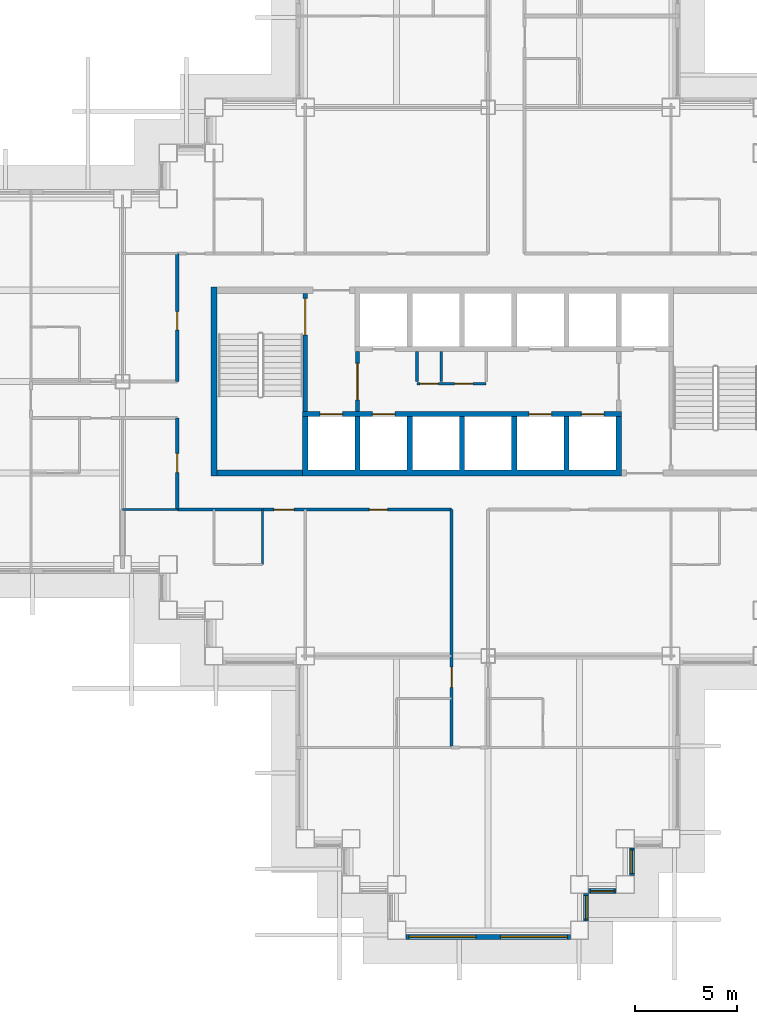
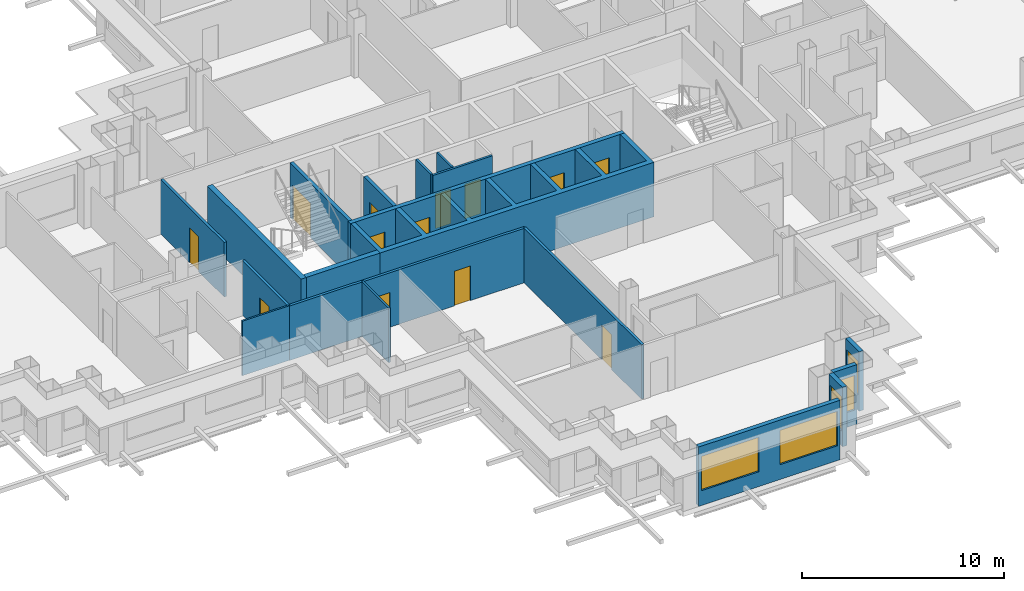
# One storey, part 4 of 15: 19 walls, 13 doors, 5 windows, 18 openings.
"""IFC4 building model written with IfcOpenShell, lengths in metres."""

from ifc_helpers import new_model, si_unit, direction, frame, frame_2d, origin, place, context, subcontext, project, spatial, polyline, rectangle, outline, extrude, material, layer, layer_set, type_object, element, fill, save


model = new_model("IFC4")

# Units and contexts
model_context = context("Model", 3, precision=1e-05, world=origin(), true_north=direction((0.0, 1.0)))
body_context = subcontext(model_context, "Body", "Model", "MODEL_VIEW")
ifc_project = project(units=[si_unit("LENGTHUNIT", "METRE"), si_unit("AREAUNIT", "SQUARE_METRE"), si_unit("VOLUMEUNIT", "CUBIC_METRE"), si_unit("PLANEANGLEUNIT", "RADIAN"), si_unit("MASSUNIT", "GRAM", prefix="KILO")], contexts=[model_context])

# Site, building, storey
site_placement = place(None, origin())
site = spatial("IfcSite", under=ifc_project, at=site_placement, CompositionType="ELEMENT")
building_placement = place(site_placement, origin())
building = spatial("IfcBuilding", under=site, at=building_placement, Name="Caravel Reach Hotel and Residences", CompositionType="ELEMENT")
storey_placement = place(building_placement, frame((0.0, 0.0, 111.60009765625)))
storey = spatial("IfcBuildingStorey", under=building, at=storey_placement, Name="L27", CompositionType="ELEMENT", Elevation=111.60009765625)

# Walls
ifc_material_1 = material(Name="Gypsum board on steel stud", Category="steel")
ifc_layer_1 = layer(ifc_material_1, 0.10009765625)
ifc_layer_set_1 = layer_set([ifc_layer_1], Name="Bathroom pod wall 100 mm")
wall_type_1 = type_object("IfcWallType", Name="Bathroom pod wall 100 mm", PredefinedType="PARTITIONING", material=ifc_layer_set_1)
wall_1_placement = place(storey_placement, frame((20.39990234375, 18.0, 0.0), z_axis=(0.0, 0.0, 1.0), x_axis=(0.0, 1.0, 0.0)))
element("IfcWall", 1, at=wall_1_placement, inside=storey, type_object=wall_type_1, Name="L27 wall w084", PredefinedType="PARTITIONING", context=body_context, shape_type="SweptSolid", body=[
    extrude(rectangle(XDim=2.699951171875, YDim=0.10009765625, at=frame_2d((1.35009765625, 0.0))), origin(), (0.0, 0.0, 1.0), 3.2998046875),
])
ifc_material_2 = material(Name="Concrete C60", Category="concrete")
ifc_layer_2 = layer(ifc_material_2, 0.300048828125)
ifc_layer_set_2 = layer_set([ifc_layer_2], Name="Core wall 300 mm EI 120")
wall_type_2 = type_object("IfcWallType", Name="Core wall 300 mm EI 120", PredefinedType="SHEAR", material=ifc_layer_set_2)
wall_2_placement = place(storey_placement, frame((18.14990234375, 22.5, 0.0), z_axis=(0.0, 0.0, 1.0), x_axis=(1.0, 0.0, 0.0)))
element("IfcWall", 2, at=wall_2_placement, inside=storey, type_object=wall_type_2, Name="L27 core wall S1", PredefinedType="SHEAR", context=body_context, shape_type="SweptSolid", body=[
    extrude(rectangle(XDim=4.22509765625, YDim=0.300048828125, at=frame_2d((2.112548828125, 0.0))), origin(), (0.0, 0.0, 1.0), 3.2998046875),
])
wall_3_placement = place(storey_placement, frame((18.0, 22.35009765625, 0.0), z_axis=(0.0, 0.0, 1.0), x_axis=(0.0, 1.0, 0.0)))
element("IfcWall", 3, at=wall_3_placement, inside=storey, type_object=wall_type_2, Name="L27 core wall W", PredefinedType="SHEAR", context=body_context, shape_type="SweptSolid", body=[
    extrude(rectangle(XDim=9.2998046875, YDim=0.300048828125, at=frame_2d((4.64990234375, 0.0))), origin(), (0.0, 0.0, 1.0), 3.2998046875),
])

# Wall, openings, doors
ifc_material_3 = material(Name="Gypsum board on steel stud, fire-rated", Category="steel")
ifc_layer_3 = layer(ifc_material_3, 0.14990234375)
ifc_layer_set_3 = layer_set([ifc_layer_3], Name="Corridor wall 150 mm EI 60")
wall_type_3 = type_object("IfcWallType", Name="Corridor wall 150 mm EI 60", PredefinedType="PARTITIONING", material=ifc_layer_set_3)
wall_4_placement = place(storey_placement, frame((16.199951171875, 20.699951171875, 0.0), z_axis=(0.0, 0.0, 1.0), x_axis=(1.0, 0.0, 0.0)))
wall_4 = element("IfcWall", 4, at=wall_4_placement, inside=storey, type_object=wall_type_3, Name="L27 wall w001", PredefinedType="PARTITIONING", context=body_context, shape_type="SweptSolid", body=[
    extrude(rectangle(XDim=13.5, YDim=0.14990234375, at=frame_2d((6.75, 0.0))), origin(), (0.0, 0.0, 1.0), 3.2998046875),
])
opening_1_placement = place(wall_4_placement, frame((4.75, 0.0, 0.0)))
opening_1 = element("IfcOpeningElement", 5, at=opening_1_placement, cuts=wall_4, Name="Opening D27-045", PredefinedType="OPENING", context=body_context, shape_type="SweptSolid", body=[
    extrude(rectangle(XDim=1.0, YDim=2.10009765625, at=frame_2d((0.5, 1.050048828125))), frame((0.0, 0.0849609375, 0.0), z_axis=(0.0, -1.0, 0.0), x_axis=(1.0, 0.0, 0.0)), (0.0, 0.0, 1.0), 0.169921875),
])
opening_2_placement = place(wall_4_placement, frame((9.449951171875, 0.0, 0.0)))
opening_2 = element("IfcOpeningElement", 6, at=opening_2_placement, cuts=wall_4, Name="Opening D27-052", PredefinedType="OPENING", context=body_context, shape_type="SweptSolid", body=[
    extrude(rectangle(XDim=0.89990234375, YDim=2.10009765625, at=frame_2d((0.449951171875, 1.050048828125))), frame((0.0, 0.0849609375, 0.0), z_axis=(0.0, -1.0, 0.0), x_axis=(1.0, 0.0, 0.0)), (0.0, 0.0, 1.0), 0.169921875),
])
ifc_material_4 = material(Name="Timber and steel door leaf", Category="steel")
door_type_1 = type_object("IfcDoorType", Name="Door 900 x 2100 timber", OperationType="SINGLE_SWING_LEFT", PredefinedType="DOOR", material=ifc_material_4)
door_1_placement = place(opening_2_placement, origin())
door_1 = element("IfcDoor", 7, at=door_1_placement, inside=storey, type_object=door_type_1, Name="door D27-052", OperationType="SINGLE_SWING_RIGHT", OverallHeight=2.10009765625, OverallWidth=0.89990234375, PredefinedType="DOOR", context=body_context, shape_type="SweptSolid", body=[
    extrude(rectangle(XDim=0.89990234375, YDim=2.10009765625, at=frame_2d((0.449951171875, 1.050048828125))), frame((0.0, 0.02490234375, 0.0), z_axis=(0.0, -1.0, 0.0), x_axis=(1.0, 0.0, 0.0)), (0.0, 0.0, 1.0), 0.050048828125),
])
fill(opening_2, door_1)
ifc_material_5 = material(Name="Steel fire door leaf", Category="steel")
door_type_2 = type_object("IfcDoorType", Name="Guest room door 1000 x 2100 EI 30", OperationType="SINGLE_SWING_LEFT", PredefinedType="DOOR", material=ifc_material_5)
door_2_placement = place(opening_1_placement, origin())
door_2 = element("IfcDoor", 8, at=door_2_placement, inside=storey, type_object=door_type_2, Name="door D27-045", OperationType="SINGLE_SWING_RIGHT", OverallHeight=2.10009765625, OverallWidth=1.0, PredefinedType="DOOR", context=body_context, shape_type="SweptSolid", body=[
    extrude(rectangle(XDim=1.0, YDim=2.10009765625, at=frame_2d((0.5, 1.050048828125))), frame((0.0, 0.02490234375, 0.0), z_axis=(0.0, -1.0, 0.0), x_axis=(1.0, 0.0, 0.0)), (0.0, 0.0, 1.0), 0.050048828125),
])
fill(opening_1, door_2)

# Wall, opening, door
wall_5_placement = place(storey_placement, frame((16.199951171875, 27.0, 0.0), z_axis=(0.0, 0.0, 1.0), x_axis=(0.0, 1.0, 0.0)))
wall_5 = element("IfcWall", 9, at=wall_5_placement, inside=storey, type_object=wall_type_3, Name="L27 wall w021", PredefinedType="PARTITIONING", context=body_context, shape_type="SweptSolid", body=[
    extrude(rectangle(XDim=6.300048828125, YDim=0.14990234375, at=frame_2d((3.14990234375, 0.0))), origin(), (0.0, 0.0, 1.0), 3.2998046875),
])
opening_3_placement = place(wall_5_placement, frame((2.550048828125, 0.0, 0.0)))
opening_3 = element("IfcOpeningElement", 10, at=opening_3_placement, cuts=wall_5, Name="Opening D27-055", PredefinedType="OPENING", context=body_context, shape_type="SweptSolid", body=[
    extrude(rectangle(XDim=0.89990234375, YDim=2.10009765625, at=frame_2d((0.449951171875, 1.050048828125))), frame((0.0, 0.0849609375, 0.0), z_axis=(0.0, -1.0, 0.0), x_axis=(1.0, 0.0, 0.0)), (0.0, 0.0, 1.0), 0.169921875),
])
door_3_placement = place(opening_3_placement, origin())
door_3 = element("IfcDoor", 11, at=door_3_placement, inside=storey, type_object=door_type_1, Name="door D27-055", OperationType="SINGLE_SWING_LEFT", OverallHeight=2.10009765625, OverallWidth=0.89990234375, PredefinedType="DOOR", context=body_context, shape_type="SweptSolid", body=[
    extrude(rectangle(XDim=0.89990234375, YDim=2.10009765625, at=frame_2d((0.449951171875, 1.050048828125))), frame((0.0, 0.02490234375, 0.0), z_axis=(0.0, -1.0, 0.0), x_axis=(1.0, 0.0, 0.0)), (0.0, 0.0, 1.0), 0.050048828125),
])
fill(opening_3, door_3)

wall_6_placement = place(storey_placement, frame((16.199951171875, 20.699951171875, 0.0), z_axis=(0.0, 0.0, 1.0), x_axis=(0.0, 1.0, 0.0)))
wall_6 = element("IfcWall", 12, at=wall_6_placement, inside=storey, type_object=wall_type_3, Name="L27 wall w022", PredefinedType="PARTITIONING", context=body_context, shape_type="SweptSolid", body=[
    extrude(rectangle(XDim=4.5, YDim=0.14990234375, at=frame_2d((2.25, 0.0))), origin(), (0.0, 0.0, 1.0), 3.2998046875),
])
opening_4_placement = place(wall_6_placement, frame((1.824951171875, 0.0, 0.0)))
opening_4 = element("IfcOpeningElement", 13, at=opening_4_placement, cuts=wall_6, Name="Opening D27-054", PredefinedType="OPENING", context=body_context, shape_type="SweptSolid", body=[
    extrude(rectangle(XDim=0.949951171875, YDim=2.10009765625, at=frame_2d((0.47509765625, 1.050048828125))), frame((0.0, 0.0849609375, 0.0), z_axis=(0.0, -1.0, 0.0), x_axis=(1.0, 0.0, 0.0)), (0.0, 0.0, 1.0), 0.169921875),
])
ifc_material_6 = material(Name="Timber and steel door leaf", Category="steel")
door_type_3 = type_object("IfcDoorType", Name="Accessible WC door 950 x 2100", OperationType="SINGLE_SWING_LEFT", PredefinedType="DOOR", material=ifc_material_6)
door_4_placement = place(opening_4_placement, origin())
door_4 = element("IfcDoor", 14, at=door_4_placement, inside=storey, type_object=door_type_3, Name="door D27-054", OperationType="SINGLE_SWING_RIGHT", OverallHeight=2.10009765625, OverallWidth=0.949951171875, PredefinedType="DOOR", context=body_context, shape_type="SweptSolid", body=[
    extrude(rectangle(XDim=0.949951171875, YDim=2.10009765625, at=frame_2d((0.47509765625, 1.050048828125))), frame((0.0, 0.02490234375, 0.0), z_axis=(0.0, -1.0, 0.0), x_axis=(1.0, 0.0, 0.0)), (0.0, 0.0, 1.0), 0.050048828125),
])
fill(opening_4, door_4)

wall_7_placement = place(storey_placement, frame((29.699951171875, 9.0, 0.0), z_axis=(0.0, 0.0, 1.0), x_axis=(0.0, 1.0, 0.0)))
wall_7 = element("IfcWall", 15, at=wall_7_placement, inside=storey, type_object=wall_type_3, Name="L27 wall w023", PredefinedType="PARTITIONING", context=body_context, shape_type="SweptSolid", body=[
    extrude(rectangle(XDim=11.699951171875, YDim=0.14990234375, at=frame_2d((5.85009765625, 0.0))), origin(), (0.0, 0.0, 1.0), 3.2998046875),
])
opening_5_placement = place(wall_7_placement, frame((2.949951171875, 0.0, 0.0)))
opening_5 = element("IfcOpeningElement", 16, at=opening_5_placement, cuts=wall_7, Name="Opening D27-031", PredefinedType="OPENING", context=body_context, shape_type="SweptSolid", body=[
    extrude(rectangle(XDim=1.0, YDim=2.10009765625, at=frame_2d((0.5, 1.050048828125))), frame((0.0, 0.0849609375, 0.0), z_axis=(0.0, -1.0, 0.0), x_axis=(1.0, 0.0, 0.0)), (0.0, 0.0, 1.0), 0.169921875),
])
door_5_placement = place(opening_5_placement, origin())
door_5 = element("IfcDoor", 17, at=door_5_placement, inside=storey, type_object=door_type_2, Name="door D27-031", OperationType="SINGLE_SWING_RIGHT", OverallHeight=2.10009765625, OverallWidth=1.0, PredefinedType="DOOR", context=body_context, shape_type="SweptSolid", body=[
    extrude(rectangle(XDim=1.0, YDim=2.10009765625, at=frame_2d((0.5, 1.050048828125))), frame((0.0, 0.02490234375, 0.0), z_axis=(0.0, -1.0, 0.0), x_axis=(1.0, 0.0, 0.0)), (0.0, 0.0, 1.0), 0.050048828125),
])
fill(opening_5, door_5)

# Wall, openings, windows
ifc_material_7 = material(Name="Insulated rainscreen wall, aluminium cladding", Category="aluminium")
ifc_layer_4 = layer(ifc_material_7, 0.25)
ifc_layer_set_4 = layer_set([ifc_layer_4], Name="EW1 Tower rainscreen wall")
wall_type_4 = type_object("IfcWallType", Name="EW1 Tower rainscreen wall", PredefinedType="SOLIDWALL", material=ifc_layer_set_4)
wall_8_placement = place(storey_placement, frame((27.449951171875, -0.324951171875, 0.0), z_axis=(0.0, 0.0, 1.0), x_axis=(1.0, 0.0, 0.0)))
wall_8 = element("IfcWall", 18, at=wall_8_placement, inside=storey, type_object=wall_type_4, Name="External wall L27 S5.1", PredefinedType="SOLIDWALL", context=body_context, shape_type="SweptSolid", body=[
    extrude(rectangle(XDim=8.10009765625, YDim=0.25, at=frame_2d((4.050048828125, 0.0))), origin(), (0.0, 0.0, 1.0), 3.599853515625),
])
opening_6_placement = place(wall_8_placement, frame((0.14990234375, 0.0, 0.89990234375)))
opening_6 = element("IfcOpeningElement", 19, at=opening_6_placement, cuts=wall_8, Name="Opening WN4", PredefinedType="OPENING", context=body_context, shape_type="SweptSolid", body=[
    extrude(rectangle(XDim=3.300048828125, YDim=2.080078125, at=frame_2d((1.64990234375, 1.0400390625))), frame((0.0, 0.135009765625, 0.0), z_axis=(0.0, -1.0, 0.0), x_axis=(1.0, 0.0, 0.0)), (0.0, 0.0, 1.0), 0.27001953125),
])
opening_7_placement = place(wall_8_placement, frame((4.64990234375, 0.0, 0.89990234375)))
opening_7 = element("IfcOpeningElement", 20, at=opening_7_placement, cuts=wall_8, Name="Opening WN4", PredefinedType="OPENING", context=body_context, shape_type="SweptSolid", body=[
    extrude(rectangle(XDim=3.300048828125, YDim=2.080078125, at=frame_2d((1.64990234375, 1.0400390625))), frame((0.0, 0.135009765625, 0.0), z_axis=(0.0, -1.0, 0.0), x_axis=(1.0, 0.0, 0.0)), (0.0, 0.0, 1.0), 0.27001953125),
])
ifc_material_8 = material(Name="Dark low-e glazing in black aluminium frame", Category="aluminium")
window_type_1 = type_object("IfcWindowType", Name="Hotel guest room window 3300 x 2080", PartitioningType="SINGLE_PANEL", PredefinedType="WINDOW", material=ifc_material_8)
window_1_placement = place(opening_6_placement, origin())
window_1 = element("IfcWindow", 21, at=window_1_placement, inside=storey, type_object=window_type_1, Name="Window L27 S5.1.1", OverallHeight=2.080078125, OverallWidth=3.300048828125, PartitioningType="SINGLE_PANEL", PredefinedType="WINDOW", context=body_context, shape_type="SweptSolid", body=[
    extrude(rectangle(XDim=3.300048828125, YDim=2.080078125, at=frame_2d((1.64990234375, 1.0400390625))), frame((0.0, 0.030029296875, 0.0), z_axis=(0.0, -1.0, 0.0), x_axis=(1.0, 0.0, 0.0)), (0.0, 0.0, 1.0), 0.06005859375),
])
fill(opening_6, window_1)
window_2_placement = place(opening_7_placement, origin())
window_2 = element("IfcWindow", 22, at=window_2_placement, inside=storey, type_object=window_type_1, Name="Window L27 S5.1.2", OverallHeight=2.080078125, OverallWidth=3.300048828125, PartitioningType="SINGLE_PANEL", PredefinedType="WINDOW", context=body_context, shape_type="SweptSolid", body=[
    extrude(rectangle(XDim=3.300048828125, YDim=2.080078125, at=frame_2d((1.64990234375, 1.0400390625))), frame((0.0, 0.030029296875, 0.0), z_axis=(0.0, -1.0, 0.0), x_axis=(1.0, 0.0, 0.0)), (0.0, 0.0, 1.0), 0.06005859375),
])
fill(opening_7, window_2)

# Wall, opening, window
wall_9_placement = place(storey_placement, frame((36.324951171875, 0.449951171875, 0.0), z_axis=(0.0, 0.0, 1.0), x_axis=(0.0, 1.0, 0.0)))
wall_9 = element("IfcWall", 23, at=wall_9_placement, inside=storey, type_object=wall_type_4, Name="External wall L27 E6.1", PredefinedType="SOLIDWALL", context=body_context, shape_type="SweptSolid", body=[
    extrude(rectangle(XDim=1.35009765625, YDim=0.25, at=frame_2d((0.675048828125, 0.0))), origin(), (0.0, 0.0, 1.0), 3.599853515625),
])
opening_8_placement = place(wall_9_placement, frame((0.10009765625, 0.0, 0.89990234375)))
opening_8 = element("IfcOpeningElement", 24, at=opening_8_placement, cuts=wall_9, Name="Opening WN8", PredefinedType="OPENING", context=body_context, shape_type="SweptSolid", body=[
    extrude(rectangle(XDim=1.14990234375, YDim=2.080078125, at=frame_2d((0.574951171875, 1.0400390625))), frame((0.0, 0.135009765625, 0.0), z_axis=(0.0, -1.0, 0.0), x_axis=(1.0, 0.0, 0.0)), (0.0, 0.0, 1.0), 0.27001953125),
])
ifc_material_9 = material(Name="Dark low-e glazing in black aluminium frame", Category="aluminium")
window_type_2 = type_object("IfcWindowType", Name="Hotel suite corner window 1150 x 2080", PartitioningType="SINGLE_PANEL", PredefinedType="WINDOW", material=ifc_material_9)
window_3_placement = place(opening_8_placement, origin())
window_3 = element("IfcWindow", 25, at=window_3_placement, inside=storey, type_object=window_type_2, Name="Window L27 E6.1.1", OverallHeight=2.080078125, OverallWidth=1.14990234375, PartitioningType="SINGLE_PANEL", PredefinedType="WINDOW", context=body_context, shape_type="SweptSolid", body=[
    extrude(rectangle(XDim=1.14990234375, YDim=2.080078125, at=frame_2d((0.574951171875, 1.0400390625))), frame((0.0, 0.030029296875, 0.0), z_axis=(0.0, -1.0, 0.0), x_axis=(1.0, 0.0, 0.0)), (0.0, 0.0, 1.0), 0.06005859375),
])
fill(opening_8, window_3)

wall_10_placement = place(storey_placement, frame((36.449951171875, 1.925048828125, 0.0), z_axis=(0.0, 0.0, 1.0), x_axis=(1.0, 0.0, 0.0)))
wall_10 = element("IfcWall", 26, at=wall_10_placement, inside=storey, type_object=wall_type_4, Name="External wall L27 S7.1", PredefinedType="SOLIDWALL", context=body_context, shape_type="SweptSolid", body=[
    extrude(rectangle(XDim=1.35009765625, YDim=0.25, at=frame_2d((0.675048828125, 0.0))), origin(), (0.0, 0.0, 1.0), 3.599853515625),
])
opening_9_placement = place(wall_10_placement, frame((0.10009765625, 0.0, 0.89990234375)))
opening_9 = element("IfcOpeningElement", 27, at=opening_9_placement, cuts=wall_10, Name="Opening WN8", PredefinedType="OPENING", context=body_context, shape_type="SweptSolid", body=[
    extrude(rectangle(XDim=1.14990234375, YDim=2.080078125, at=frame_2d((0.574951171875, 1.0400390625))), frame((0.0, 0.135009765625, 0.0), z_axis=(0.0, -1.0, 0.0), x_axis=(1.0, 0.0, 0.0)), (0.0, 0.0, 1.0), 0.27001953125),
])
window_4_placement = place(opening_9_placement, origin())
window_4 = element("IfcWindow", 28, at=window_4_placement, inside=storey, type_object=window_type_2, Name="Window L27 S7.1.1", OverallHeight=2.080078125, OverallWidth=1.14990234375, PartitioningType="SINGLE_PANEL", PredefinedType="WINDOW", context=body_context, shape_type="SweptSolid", body=[
    extrude(rectangle(XDim=1.14990234375, YDim=2.080078125, at=frame_2d((0.574951171875, 1.0400390625))), frame((0.0, 0.030029296875, 0.0), z_axis=(0.0, -1.0, 0.0), x_axis=(1.0, 0.0, 0.0)), (0.0, 0.0, 1.0), 0.06005859375),
])
fill(opening_9, window_4)

wall_11_placement = place(storey_placement, frame((38.574951171875, 2.699951171875, 0.0), z_axis=(0.0, 0.0, 1.0), x_axis=(0.0, 1.0, 0.0)))
wall_11 = element("IfcWall", 29, at=wall_11_placement, inside=storey, type_object=wall_type_4, Name="External wall L27 E8.1", PredefinedType="SOLIDWALL", context=body_context, shape_type="SweptSolid", body=[
    extrude(rectangle(XDim=1.35009765625, YDim=0.25, at=frame_2d((0.675048828125, 0.0))), origin(), (0.0, 0.0, 1.0), 3.599853515625),
])
opening_10_placement = place(wall_11_placement, frame((0.10009765625, 0.0, 0.89990234375)))
opening_10 = element("IfcOpeningElement", 30, at=opening_10_placement, cuts=wall_11, Name="Opening WN8", PredefinedType="OPENING", context=body_context, shape_type="SweptSolid", body=[
    extrude(rectangle(XDim=1.14990234375, YDim=2.080078125, at=frame_2d((0.574951171875, 1.0400390625))), frame((0.0, 0.135009765625, 0.0), z_axis=(0.0, -1.0, 0.0), x_axis=(1.0, 0.0, 0.0)), (0.0, 0.0, 1.0), 0.27001953125),
])
window_5_placement = place(opening_10_placement, origin())
window_5 = element("IfcWindow", 31, at=window_5_placement, inside=storey, type_object=window_type_2, Name="Window L27 E8.1.1", OverallHeight=2.080078125, OverallWidth=1.14990234375, PartitioningType="SINGLE_PANEL", PredefinedType="WINDOW", context=body_context, shape_type="SweptSolid", body=[
    extrude(rectangle(XDim=1.14990234375, YDim=2.080078125, at=frame_2d((0.574951171875, 1.0400390625))), frame((0.0, 0.030029296875, 0.0), z_axis=(0.0, -1.0, 0.0), x_axis=(1.0, 0.0, 0.0)), (0.0, 0.0, 1.0), 0.06005859375),
])
fill(opening_10, window_5)

# Wall, opening, door
ifc_material_10 = material(Name="Autoclaved aerated block wall")
ifc_layer_5 = layer(ifc_material_10, 0.199951171875)
ifc_layer_set_5 = layer_set([ifc_layer_5], Name="Fire lobby wall 200 mm EI 120")
wall_type_5 = type_object("IfcWallType", Name="Fire lobby wall 200 mm EI 120", PredefinedType="PARTITIONING", material=ifc_layer_set_5)
wall_12_placement = place(storey_placement, frame((25.071533203125, 25.52490234375, 0.0), z_axis=(0.0, 0.0, 1.0), x_axis=(0.0, 1.0, 0.0)))
wall_12 = element("IfcWall", 32, at=wall_12_placement, inside=storey, type_object=wall_type_5, Name="L27 lobby W wall", PredefinedType="PARTITIONING", context=body_context, shape_type="SweptSolid", body=[
    extrude(rectangle(XDim=2.9501953125, YDim=0.199951171875, at=frame_2d((1.47509765625, 0.0))), origin(), (0.0, 0.0, 1.0), 3.2998046875),
])
opening_11_placement = place(wall_12_placement, frame((0.574951171875, 0.0, 0.0)))
opening_11 = element("IfcOpeningElement", 33, at=opening_11_placement, cuts=wall_12, Name="Opening D27-012", PredefinedType="OPENING", context=body_context, shape_type="SweptSolid", body=[
    extrude(rectangle(XDim=1.800048828125, YDim=2.10009765625, at=frame_2d((0.89990234375, 1.050048828125))), frame((0.0, 0.10986328125, 0.0), z_axis=(0.0, -1.0, 0.0), x_axis=(1.0, 0.0, 0.0)), (0.0, 0.0, 1.0), 0.219970703125),
])
ifc_material_11 = material(Name="Steel fire door leaf", Category="steel")
door_type_4 = type_object("IfcDoorType", Name="Fire lobby door pair 1800 x 2100 EI 90", OperationType="DOUBLE_DOOR_SINGLE_SWING", PredefinedType="DOOR", material=ifc_material_11)
door_6_placement = place(opening_11_placement, origin())
door_6 = element("IfcDoor", 34, at=door_6_placement, inside=storey, type_object=door_type_4, Name="lobby W door pair", OperationType="DOUBLE_DOOR_SINGLE_SWING", OverallHeight=2.10009765625, OverallWidth=1.800048828125, PredefinedType="DOOR", context=body_context, shape_type="SweptSolid", body=[
    extrude(rectangle(XDim=1.800048828125, YDim=2.10009765625, at=frame_2d((0.89990234375, 1.050048828125))), frame((0.0, 0.02490234375, 0.0), z_axis=(0.0, -1.0, 0.0), x_axis=(1.0, 0.0, 0.0)), (0.0, 0.0, 1.0), 0.050048828125),
])
fill(opening_11, door_6)

# Wall
ifc_material_12 = material(Name="Gypsum board on steel stud", Category="steel")
ifc_layer_6 = layer(ifc_material_12, 0.10009765625)
ifc_layer_set_6 = layer_set([ifc_layer_6], Name="Partition 100 mm")
wall_type_6 = type_object("IfcWallType", Name="Partition 100 mm", PredefinedType="PARTITIONING", material=ifc_layer_set_6)
wall_13_placement = place(storey_placement, frame((13.5, 20.699951171875, 0.0), z_axis=(0.0, 0.0, 1.0), x_axis=(1.0, 0.0, 0.0)))
element("IfcWall", 35, at=wall_13_placement, inside=storey, type_object=wall_type_6, Name="L27 wall w039", PredefinedType="PARTITIONING", context=body_context, shape_type="SweptSolid", body=[
    extrude(rectangle(XDim=2.699951171875, YDim=0.10009765625, at=frame_2d((1.35009765625, 0.0))), origin(), (0.0, 0.0, 1.0), 3.2998046875),
])

# Wall, openings, doors
ifc_material_13 = material(Name="Autoclaved aerated block wall")
ifc_layer_7 = layer(ifc_material_13, 0.125)
ifc_layer_set_7 = layer_set([ifc_layer_7], Name="Riser wall 125 mm EI 60")
wall_type_7 = type_object("IfcWallType", Name="Riser wall 125 mm EI 60", PredefinedType="PARTITIONING", material=ifc_layer_set_7)
wall_14_placement = place(storey_placement, frame((28.0, 26.89990234375, 0.0), z_axis=(0.0, 0.0, 1.0), x_axis=(1.0, 0.0, 0.0)))
wall_14 = element("IfcWall", 36, at=wall_14_placement, inside=storey, type_object=wall_type_7, Name="L27 service room wall N1", PredefinedType="PARTITIONING", context=body_context, shape_type="SweptSolid", body=[
    extrude(rectangle(XDim=3.39990234375, YDim=0.125, at=frame_2d((1.699951171875, 0.0))), origin(), (0.0, 0.0, 1.0), 3.2998046875),
])
opening_12_placement = place(wall_14_placement, frame((0.14990234375, 0.0, 0.0)))
opening_12 = element("IfcOpeningElement", 37, at=opening_12_placement, cuts=wall_14, Name="Opening D27-008", PredefinedType="OPENING", context=body_context, shape_type="SweptSolid", body=[
    extrude(rectangle(XDim=0.89990234375, YDim=2.10009765625, at=frame_2d((0.449951171875, 1.050048828125))), frame((0.0, 0.072509765625, 0.0), z_axis=(0.0, -1.0, 0.0), x_axis=(1.0, 0.0, 0.0)), (0.0, 0.0, 1.0), 0.14501953125),
])
opening_13_placement = place(wall_14_placement, frame((1.85009765625, 0.0, 0.0)))
opening_13 = element("IfcOpeningElement", 38, at=opening_13_placement, cuts=wall_14, Name="Opening D27-009", PredefinedType="OPENING", context=body_context, shape_type="SweptSolid", body=[
    extrude(rectangle(XDim=0.89990234375, YDim=2.10009765625, at=frame_2d((0.449951171875, 1.050048828125))), frame((0.0, 0.072509765625, 0.0), z_axis=(0.0, -1.0, 0.0), x_axis=(1.0, 0.0, 0.0)), (0.0, 0.0, 1.0), 0.14501953125),
])
ifc_material_14 = material(Name="Steel fire door leaf", Category="steel")
door_type_5 = type_object("IfcDoorType", Name="Riser door 900 x 2100 EI 60", OperationType="SINGLE_SWING_LEFT", PredefinedType="DOOR", material=ifc_material_14)
door_7_placement = place(opening_12_placement, origin())
door_7 = element("IfcDoor", 39, at=door_7_placement, inside=storey, type_object=door_type_5, Name="Staff store door", OperationType="SINGLE_SWING_LEFT", OverallHeight=2.10009765625, OverallWidth=0.89990234375, PredefinedType="DOOR", context=body_context, shape_type="SweptSolid", body=[
    extrude(rectangle(XDim=0.89990234375, YDim=2.10009765625, at=frame_2d((0.449951171875, 1.050048828125))), frame((0.0, 0.02490234375, 0.0), z_axis=(0.0, -1.0, 0.0), x_axis=(1.0, 0.0, 0.0)), (0.0, 0.0, 1.0), 0.050048828125),
])
fill(opening_12, door_7)
door_8_placement = place(opening_13_placement, origin())
door_8 = element("IfcDoor", 40, at=door_8_placement, inside=storey, type_object=door_type_5, Name="Executive lounge pantry door", OperationType="SINGLE_SWING_LEFT", OverallHeight=2.10009765625, OverallWidth=0.89990234375, PredefinedType="DOOR", context=body_context, shape_type="SweptSolid", body=[
    extrude(rectangle(XDim=0.89990234375, YDim=2.10009765625, at=frame_2d((0.449951171875, 1.050048828125))), frame((0.0, 0.02490234375, 0.0), z_axis=(0.0, -1.0, 0.0), x_axis=(1.0, 0.0, 0.0)), (0.0, 0.0, 1.0), 0.050048828125),
])
fill(opening_13, door_8)

# Walls
for number, where, z_axis, x_axis, name in (
    (41, (28.0, 28.47509765625, 0.0), (0.0, 0.0, 1.0), (0.0, -1.0, 0.0), "L27 service room partition N1"),
    (42, (29.199951171875, 28.47509765625, 0.0), (0.0, 0.0, 1.0), (0.0, -1.0, 0.0), "L27 service room partition N1"),
):
    element("IfcWall", number, at=place(storey_placement, frame(where, z_axis=z_axis, x_axis=x_axis)), inside=storey, type_object=wall_type_7, Name=name, PredefinedType="PARTITIONING", context=body_context, shape_type="SweptSolid", body=[
        extrude(rectangle(XDim=1.47509765625, YDim=0.125, at=frame_2d((0.737548828125, 0.0))), origin(), (0.0, 0.0, 1.0), 3.2998046875),
    ])
ifc_material_15 = material(Name="Concrete C60", Category="concrete")
ifc_layer_8 = layer(ifc_material_15, 0.25)
ifc_layer_set_8 = layer_set([ifc_layer_8], Name="Shaft wall 250 mm EI 120")
wall_type_8 = type_object("IfcWallType", Name="Shaft wall 250 mm EI 120", PredefinedType="SHEAR", material=ifc_layer_set_8)
wall_15_placement = place(storey_placement, origin())
element("IfcWall", 43, at=wall_15_placement, inside=storey, type_object=wall_type_8, Name="L27 lift shaft wall S1", PredefinedType="SHEAR", context=body_context, shape_type="SweptSolid", body=[
    extrude(outline(polyline([(22.375, 22.35009765625), (38.053466796875, 22.35009765625), (38.053466796875, 25.27490234375), (37.803466796875, 25.27490234375), (37.803466796875, 22.64990234375), (35.482177734375, 22.64990234375), (35.482177734375, 25.27490234375), (35.232177734375, 25.27490234375), (35.232177734375, 22.64990234375), (32.91064453125, 22.64990234375), (32.91064453125, 25.27490234375), (32.66064453125, 25.27490234375), (32.66064453125, 22.64990234375), (30.33935546875, 22.64990234375), (30.33935546875, 25.27490234375), (30.08935546875, 25.27490234375), (30.08935546875, 22.64990234375), (27.767822265625, 22.64990234375), (27.767822265625, 25.27490234375), (27.517822265625, 25.27490234375), (27.517822265625, 22.64990234375), (25.196533203125, 22.64990234375), (25.196533203125, 25.27490234375), (24.946533203125, 25.27490234375), (24.946533203125, 22.64990234375), (22.625, 22.64990234375), (22.625, 25.27490234375), (22.375, 25.27490234375), (22.375, 22.35009765625)])), origin(), (0.0, 0.0, 1.0), 3.2998046875),
])

# Wall, openings, doors
wall_16_placement = place(storey_placement, frame((22.375, 25.39990234375, 0.0), z_axis=(0.0, 0.0, 1.0), x_axis=(1.0, 0.0, 0.0)))
wall_16 = element("IfcWall", 44, at=wall_16_placement, inside=storey, type_object=wall_type_8, Name="L27 lobby wall S1", PredefinedType="SHEAR", context=body_context, shape_type="SweptSolid", body=[
    extrude(rectangle(XDim=15.678466796875, YDim=0.25, at=frame_2d((7.83935546875, 0.0))), origin(), (0.0, 0.0, 1.0), 3.2998046875),
])
opening_14_placement = place(wall_16_placement, frame((3.43212890625, 0.0, 0.0)))
opening_14 = element("IfcOpeningElement", 45, at=opening_14_placement, cuts=wall_16, Name="Opening D27-001", PredefinedType="OPENING", context=body_context, shape_type="SweptSolid", body=[
    extrude(rectangle(XDim=1.10009765625, YDim=2.10009765625, at=frame_2d((0.550048828125, 1.050048828125))), frame((0.0, 0.135009765625, 0.0), z_axis=(0.0, -1.0, 0.0), x_axis=(1.0, 0.0, 0.0)), (0.0, 0.0, 1.0), 0.27001953125),
])
opening_15_placement = place(wall_16_placement, frame((11.146484375, 0.0, 0.0)))
opening_15 = element("IfcOpeningElement", 46, at=opening_15_placement, cuts=wall_16, Name="Opening D27-002", PredefinedType="OPENING", context=body_context, shape_type="SweptSolid", body=[
    extrude(rectangle(XDim=1.10009765625, YDim=2.10009765625, at=frame_2d((0.550048828125, 1.050048828125))), frame((0.0, 0.135009765625, 0.0), z_axis=(0.0, -1.0, 0.0), x_axis=(1.0, 0.0, 0.0)), (0.0, 0.0, 1.0), 0.27001953125),
])
opening_16_placement = place(wall_16_placement, frame((13.718017578125, 0.0, 0.0)))
opening_16 = element("IfcOpeningElement", 47, at=opening_16_placement, cuts=wall_16, Name="Opening D27-003", PredefinedType="OPENING", context=body_context, shape_type="SweptSolid", body=[
    extrude(rectangle(XDim=1.10009765625, YDim=2.10009765625, at=frame_2d((0.550048828125, 1.050048828125))), frame((0.0, 0.135009765625, 0.0), z_axis=(0.0, -1.0, 0.0), x_axis=(1.0, 0.0, 0.0)), (0.0, 0.0, 1.0), 0.27001953125),
])
opening_17_placement = place(wall_16_placement, frame((0.860595703125, 0.0, 0.0)))
opening_17 = element("IfcOpeningElement", 48, at=opening_17_placement, cuts=wall_16, Name="Opening D27-006", PredefinedType="OPENING", context=body_context, shape_type="SweptSolid", body=[
    extrude(rectangle(XDim=1.10009765625, YDim=2.10009765625, at=frame_2d((0.550048828125, 1.050048828125))), frame((0.0, 0.135009765625, 0.0), z_axis=(0.0, -1.0, 0.0), x_axis=(1.0, 0.0, 0.0)), (0.0, 0.0, 1.0), 0.27001953125),
])
ifc_material_16 = material(Name="Stainless steel landing door", Category="steel")
door_type_6 = type_object("IfcDoorType", Name="Landing door LD 1100 x 2100 sliding", OperationType="DOUBLE_DOOR_SLIDING", PredefinedType="DOOR", material=ifc_material_16)
door_9_placement = place(opening_14_placement, origin())
door_9 = element("IfcDoor", 49, at=door_9_placement, inside=storey, type_object=door_type_6, Name="LP1 landing door", OperationType="DOUBLE_DOOR_SLIDING", OverallHeight=2.10009765625, OverallWidth=1.10009765625, PredefinedType="DOOR", context=body_context, shape_type="SweptSolid", body=[
    extrude(rectangle(XDim=1.10009765625, YDim=2.10009765625, at=frame_2d((0.550048828125, 1.050048828125))), frame((0.0, 0.02490234375, 0.0), z_axis=(0.0, -1.0, 0.0), x_axis=(1.0, 0.0, 0.0)), (0.0, 0.0, 1.0), 0.050048828125),
])
fill(opening_14, door_9)
door_10_placement = place(opening_15_placement, origin())
door_10 = element("IfcDoor", 50, at=door_10_placement, inside=storey, type_object=door_type_6, Name="LP2 landing door", OperationType="DOUBLE_DOOR_SLIDING", OverallHeight=2.10009765625, OverallWidth=1.10009765625, PredefinedType="DOOR", context=body_context, shape_type="SweptSolid", body=[
    extrude(rectangle(XDim=1.10009765625, YDim=2.10009765625, at=frame_2d((0.550048828125, 1.050048828125))), frame((0.0, 0.02490234375, 0.0), z_axis=(0.0, -1.0, 0.0), x_axis=(1.0, 0.0, 0.0)), (0.0, 0.0, 1.0), 0.050048828125),
])
fill(opening_15, door_10)
door_11_placement = place(opening_16_placement, origin())
door_11 = element("IfcDoor", 51, at=door_11_placement, inside=storey, type_object=door_type_6, Name="LP3 landing door", OperationType="DOUBLE_DOOR_SLIDING", OverallHeight=2.10009765625, OverallWidth=1.10009765625, PredefinedType="DOOR", context=body_context, shape_type="SweptSolid", body=[
    extrude(rectangle(XDim=1.10009765625, YDim=2.10009765625, at=frame_2d((0.550048828125, 1.050048828125))), frame((0.0, 0.02490234375, 0.0), z_axis=(0.0, -1.0, 0.0), x_axis=(1.0, 0.0, 0.0)), (0.0, 0.0, 1.0), 0.050048828125),
])
fill(opening_16, door_11)
door_12_placement = place(opening_17_placement, origin())
door_12 = element("IfcDoor", 52, at=door_12_placement, inside=storey, type_object=door_type_6, Name="FL1 landing door", OperationType="DOUBLE_DOOR_SLIDING", OverallHeight=2.10009765625, OverallWidth=1.10009765625, PredefinedType="DOOR", context=body_context, shape_type="SweptSolid", body=[
    extrude(rectangle(XDim=1.10009765625, YDim=2.10009765625, at=frame_2d((0.550048828125, 1.050048828125))), frame((0.0, 0.02490234375, 0.0), z_axis=(0.0, -1.0, 0.0), x_axis=(1.0, 0.0, 0.0)), (0.0, 0.0, 1.0), 0.050048828125),
])
fill(opening_17, door_12)

# Wall, opening, door
ifc_material_17 = material(Name="Concrete C60", Category="concrete")
ifc_layer_9 = layer(ifc_material_17, 0.199951171875)
ifc_layer_set_9 = layer_set([ifc_layer_9], Name="Stair enclosure wall 200 mm EI 120")
wall_type_9 = type_object("IfcWallType", Name="Stair enclosure wall 200 mm EI 120", PredefinedType="SHEAR", material=ifc_layer_set_9)
wall_17_placement = place(storey_placement, frame((22.5, 31.35009765625, 0.0), z_axis=(0.0, 0.0, 1.0), x_axis=(0.0, -1.0, 0.0)))
wall_17 = element("IfcWall", 53, at=wall_17_placement, inside=storey, type_object=wall_type_9, Name="L27 stair A wall", PredefinedType="SHEAR", context=body_context, shape_type="SweptSolid", body=[
    extrude(rectangle(XDim=5.8251953125, YDim=0.199951171875, at=frame_2d((2.91259765625, 0.0))), origin(), (0.0, 0.0, 1.0), 3.2998046875),
])
opening_18_placement = place(wall_17_placement, frame((0.25, 0.0, 0.0)))
opening_18 = element("IfcOpeningElement", 54, at=opening_18_placement, cuts=wall_17, Name="Opening D27-010", PredefinedType="OPENING", context=body_context, shape_type="SweptSolid", body=[
    extrude(rectangle(XDim=1.800048828125, YDim=2.10009765625, at=frame_2d((0.89990234375, 1.050048828125))), frame((0.0, 0.10986328125, 0.0), z_axis=(0.0, -1.0, 0.0), x_axis=(1.0, 0.0, 0.0)), (0.0, 0.0, 1.0), 0.219970703125),
])
ifc_material_18 = material(Name="Steel fire door leaf", Category="steel")
door_type_7 = type_object("IfcDoorType", Name="Stair door pair 1800 x 2100 EI 90", OperationType="DOUBLE_DOOR_SINGLE_SWING", PredefinedType="DOOR", material=ifc_material_18)
door_13_placement = place(opening_18_placement, origin())
door_13 = element("IfcDoor", 55, at=door_13_placement, inside=storey, type_object=door_type_7, Name="stair A door pair", OperationType="DOUBLE_DOOR_SINGLE_SWING", OverallHeight=2.10009765625, OverallWidth=1.800048828125, PredefinedType="DOOR", context=body_context, shape_type="SweptSolid", body=[
    extrude(rectangle(XDim=1.800048828125, YDim=2.10009765625, at=frame_2d((0.89990234375, 1.050048828125))), frame((0.0, 0.02490234375, 0.0), z_axis=(0.0, -1.0, 0.0), x_axis=(1.0, 0.0, 0.0)), (0.0, 0.0, 1.0), 0.050048828125),
])
fill(opening_18, door_13)

save(model, "model.ifc")
